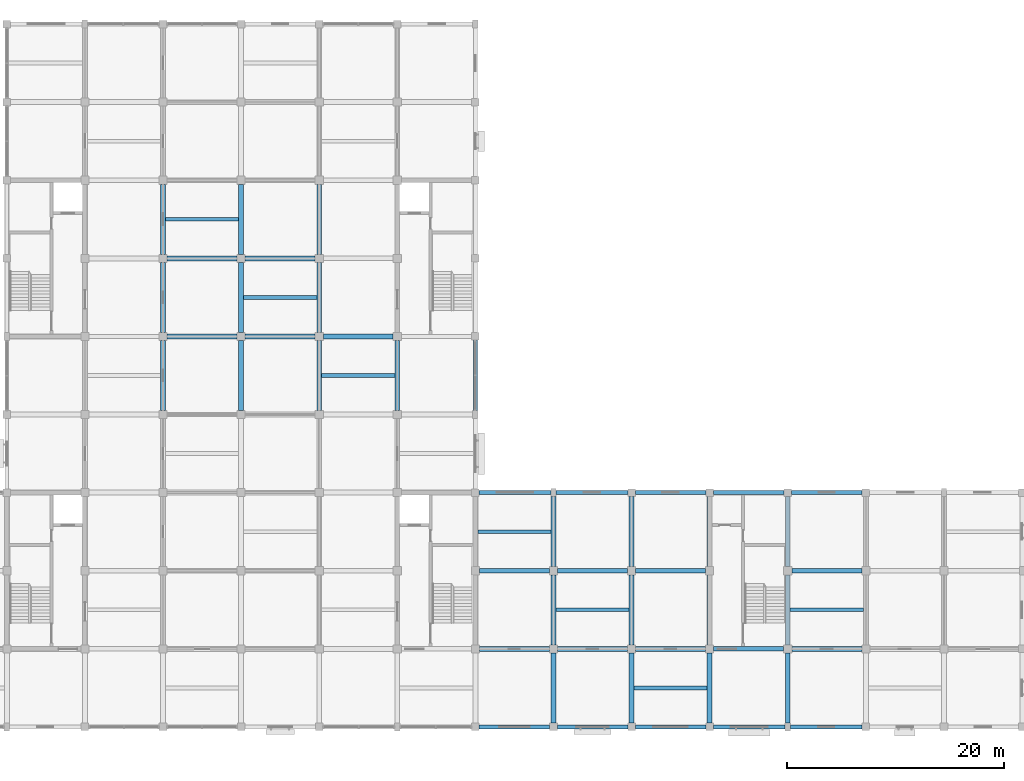
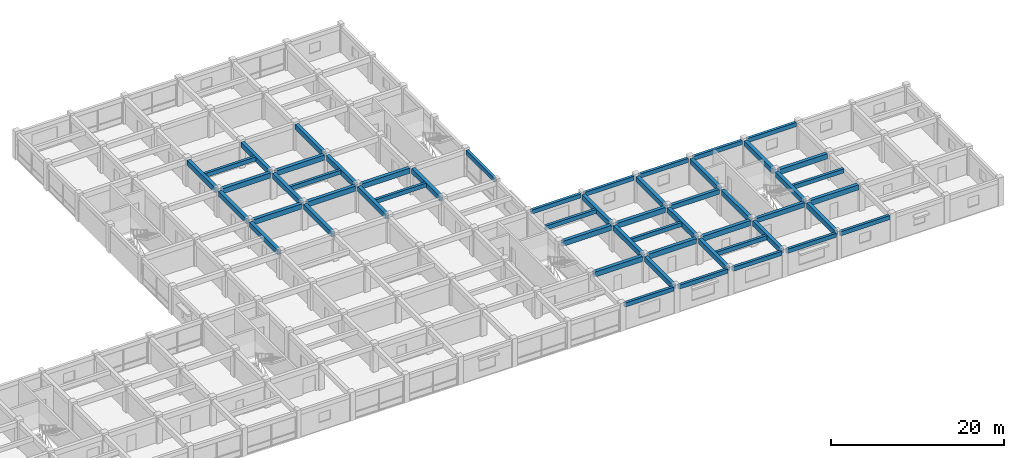
# One storey, part 8 of 25: 54 beams.
"""IFC4 building model written with IfcOpenShell, lengths in metres."""

from ifc_helpers import new_model, si_unit, direction, frame, origin, origin_2d, place, context, subcontext, project, spatial, rectangle, extrude, material, material_profile, profile_set, type_object, element, save


model = new_model("IFC4")

# Units and contexts
model_context = context("Model", 3, precision=1e-05, world=origin(), true_north=direction((0.0, 1.0)))
body_context = subcontext(model_context, "Body", "Model", "MODEL_VIEW")
ifc_project = project(units=[si_unit("LENGTHUNIT", "METRE"), si_unit("AREAUNIT", "SQUARE_METRE"), si_unit("VOLUMEUNIT", "CUBIC_METRE"), si_unit("PLANEANGLEUNIT", "RADIAN"), si_unit("MASSUNIT", "GRAM", prefix="KILO")], contexts=[model_context])

# Site, building, storey
site_placement = place(None, origin())
site = spatial("IfcSite", under=ifc_project, at=site_placement, CompositionType="ELEMENT")
building_placement = place(site_placement, origin())
building = spatial("IfcBuilding", under=site, at=building_placement, Name="Cendaluz Park School", CompositionType="ELEMENT")
storey_placement = place(building_placement, frame((0.0, 0.0, 18.60009765625)))
storey = spatial("IfcBuildingStorey", under=building, at=storey_placement, Name="L04", CompositionType="ELEMENT", Elevation=18.60009765625)

# Beams
ifc_material = material(Name="Concrete C40/50", Category="concrete")
ifc_material_profile_1 = material_profile(ifc_material, rectangle(XDim=0.449951171875, YDim=0.719970703125, at=origin_2d()), Name="RC 450x720", Category="concrete")
ifc_profile_set_1 = profile_set([ifc_material_profile_1], Name="Concrete C40/50")
beam_type_1 = type_object("IfcBeamType", Name="BM-RC02", PredefinedType="BEAM", material=ifc_profile_set_1)
for number, where, z_axis, x_axis, name in (
    (1, (79.574951171875, 43.199951171875, 3.329833984375), (1.0, 0.0, 0.0), (0.0, 1.0, 0.0), "BM-L04-BMRC02-0051"),
    (2, (79.574951171875, 50.39990234375, 3.329833984375), (1.0, 0.0, 0.0), (0.0, 1.0, 0.0), "BM-L04-BMRC02-0052"),
):
    element("IfcBeam", number, at=place(storey_placement, frame(where, z_axis=z_axis, x_axis=x_axis)), inside=storey, type_object=beam_type_1, Name=name, PredefinedType="BEAM", context=body_context, shape_type="SweptSolid", body=[
        extrude(rectangle(XDim=0.449951171875, YDim=0.719970703125, at=origin_2d()), origin(), (0.0, 0.0, 1.0), 6.449951171875),
    ])
for number, where, z_axis, x_axis, name in (
    (3, (86.77490234375, 43.199951171875, 3.329833984375), (1.0, 0.0, 0.0), (0.0, 1.0, 0.0), "BM-L04-BMRC02-0061"),
    (4, (86.77490234375, 50.39990234375, 3.329833984375), (1.0, 0.0, 0.0), (0.0, 1.0, 0.0), "BM-L04-BMRC02-0062"),
):
    element("IfcBeam", number, at=place(storey_placement, frame(where, z_axis=z_axis, x_axis=x_axis)), inside=storey, type_object=beam_type_1, Name=name, PredefinedType="BEAM", context=body_context, shape_type="SweptSolid", body=[
        extrude(rectangle(XDim=0.449951171875, YDim=0.719970703125, at=origin_2d()), origin(), (0.0, 0.0, 1.0), 6.4501953125),
    ])
for number, where, z_axis, x_axis, name in (
    (5, (93.97509765625, 43.199951171875, 3.329833984375), (1.0, 0.0, 0.0), (0.0, 1.0, 0.0), "BM-L04-BMRC02-0071"),
    (6, (108.375, 14.39990234375, 3.329833984375), (1.0, 0.0, 0.0), (0.0, 1.0, 0.0), "BM-L04-BMRC02-0085"),
    (7, (108.375, 21.60009765625, 3.329833984375), (1.0, 0.0, 0.0), (0.0, 1.0, 0.0), "BM-L04-BMRC02-0086"),
    (8, (115.574951171875, 14.39990234375, 3.329833984375), (1.0, 0.0, 0.0), (0.0, 1.0, 0.0), "BM-L04-BMRC02-0089"),
    (9, (115.574951171875, 21.60009765625, 3.329833984375), (1.0, 0.0, 0.0), (0.0, 1.0, 0.0), "BM-L04-BMRC02-0090"),
):
    element("IfcBeam", number, at=place(storey_placement, frame(where, z_axis=z_axis, x_axis=x_axis)), inside=storey, type_object=beam_type_1, Name=name, PredefinedType="BEAM", context=body_context, shape_type="SweptSolid", body=[
        extrude(rectangle(XDim=0.449951171875, YDim=0.719970703125, at=origin_2d()), origin(), (0.0, 0.0, 1.0), 6.449951171875),
    ])
beam_1_placement = place(storey_placement, frame((122.77490234375, 14.39990234375, 3.329833984375), z_axis=(1.0, 0.0, 0.0), x_axis=(0.0, 1.0, 0.0)))
element("IfcBeam", 10, at=beam_1_placement, inside=storey, type_object=beam_type_1, Name="BM-L04-BMRC02-0093", PredefinedType="BEAM", context=body_context, shape_type="SweptSolid", body=[
    extrude(rectangle(XDim=0.449951171875, YDim=0.719970703125, at=origin_2d()), origin(), (0.0, 0.0, 1.0), 6.4501953125),
])
for number, where, z_axis, x_axis, name in (
    (11, (137.175048828125, 14.39990234375, 3.329833984375), (1.0, 0.0, 0.0), (0.0, 1.0, 0.0), "BM-L04-BMRC02-0100"),
    (12, (137.175048828125, 21.60009765625, 3.329833984375), (1.0, 0.0, 0.0), (0.0, 1.0, 0.0), "BM-L04-BMRC02-0101"),
    (13, (79.199951171875, 36.375, 3.329833984375), (0.0, 1.0, 0.0), (-1.0, 0.0, 0.0), "BM-L04-BMRC02-0154"),
    (14, (79.199951171875, 43.574951171875, 3.329833984375), (0.0, 1.0, 0.0), (-1.0, 0.0, 0.0), "BM-L04-BMRC02-0155"),
):
    element("IfcBeam", number, at=place(storey_placement, frame(where, z_axis=z_axis, x_axis=x_axis)), inside=storey, type_object=beam_type_1, Name=name, PredefinedType="BEAM", context=body_context, shape_type="SweptSolid", body=[
        extrude(rectangle(XDim=0.449951171875, YDim=0.719970703125, at=origin_2d()), origin(), (0.0, 0.0, 1.0), 6.449951171875),
    ])
beam_2_placement = place(storey_placement, frame((79.199951171875, 50.77490234375, 3.329833984375), z_axis=(0.0, 1.0, 0.0), x_axis=(-1.0, 0.0, 0.0)))
element("IfcBeam", 15, at=beam_2_placement, inside=storey, type_object=beam_type_1, Name="BM-L04-BMRC02-0156", PredefinedType="BEAM", context=body_context, shape_type="SweptSolid", body=[
    extrude(rectangle(XDim=0.449951171875, YDim=0.719970703125, at=origin_2d()), origin(), (0.0, 0.0, 1.0), 6.4501953125),
])
for number, where, z_axis, x_axis, name in (
    (16, (86.39990234375, 36.375, 3.329833984375), (0.0, 1.0, 0.0), (-1.0, 0.0, 0.0), "BM-L04-BMRC02-0163"),
    (17, (86.39990234375, 43.574951171875, 3.329833984375), (0.0, 1.0, 0.0), (-1.0, 0.0, 0.0), "BM-L04-BMRC02-0164"),
):
    element("IfcBeam", number, at=place(storey_placement, frame(where, z_axis=z_axis, x_axis=x_axis)), inside=storey, type_object=beam_type_1, Name=name, PredefinedType="BEAM", context=body_context, shape_type="SweptSolid", body=[
        extrude(rectangle(XDim=0.449951171875, YDim=0.719970703125, at=origin_2d()), origin(), (0.0, 0.0, 1.0), 6.449951171875),
    ])
beam_3_placement = place(storey_placement, frame((86.39990234375, 50.77490234375, 3.329833984375), z_axis=(0.0, 1.0, 0.0), x_axis=(-1.0, 0.0, 0.0)))
element("IfcBeam", 18, at=beam_3_placement, inside=storey, type_object=beam_type_1, Name="BM-L04-BMRC02-0165", PredefinedType="BEAM", context=body_context, shape_type="SweptSolid", body=[
    extrude(rectangle(XDim=0.449951171875, YDim=0.719970703125, at=origin_2d()), origin(), (0.0, 0.0, 1.0), 6.4501953125),
])
for number, where, z_axis, x_axis, name in (
    (19, (93.60009765625, 36.375, 3.329833984375), (0.0, 1.0, 0.0), (-1.0, 0.0, 0.0), "BM-L04-BMRC02-0172"),
    (20, (93.60009765625, 43.574951171875, 3.329833984375), (0.0, 1.0, 0.0), (-1.0, 0.0, 0.0), "BM-L04-BMRC02-0173"),
):
    element("IfcBeam", number, at=place(storey_placement, frame(where, z_axis=z_axis, x_axis=x_axis)), inside=storey, type_object=beam_type_1, Name=name, PredefinedType="BEAM", context=body_context, shape_type="SweptSolid", body=[
        extrude(rectangle(XDim=0.449951171875, YDim=0.719970703125, at=origin_2d()), origin(), (0.0, 0.0, 1.0), 6.449951171875),
    ])
beam_4_placement = place(storey_placement, frame((93.60009765625, 50.77490234375, 3.329833984375), z_axis=(0.0, 1.0, 0.0), x_axis=(-1.0, 0.0, 0.0)))
element("IfcBeam", 21, at=beam_4_placement, inside=storey, type_object=beam_type_1, Name="BM-L04-BMRC02-0174", PredefinedType="BEAM", context=body_context, shape_type="SweptSolid", body=[
    extrude(rectangle(XDim=0.449951171875, YDim=0.719970703125, at=origin_2d()), origin(), (0.0, 0.0, 1.0), 6.4501953125),
])
beam_5_placement = place(storey_placement, frame((100.800048828125, 36.375, 3.329833984375), z_axis=(0.0, 1.0, 0.0), x_axis=(-1.0, 0.0, 0.0)))
element("IfcBeam", 22, at=beam_5_placement, inside=storey, type_object=beam_type_1, Name="BM-L04-BMRC02-0181", PredefinedType="BEAM", context=body_context, shape_type="SweptSolid", body=[
    extrude(rectangle(XDim=0.449951171875, YDim=0.719970703125, at=origin_2d()), origin(), (0.0, 0.0, 1.0), 6.449951171875),
])
beam_6_placement = place(storey_placement, frame((115.199951171875, 7.550048828125, 3.329833984375), z_axis=(0.0, 1.0, 0.0), x_axis=(-1.0, 0.0, 0.0)))
element("IfcBeam", 23, at=beam_6_placement, inside=storey, type_object=beam_type_1, Name="BM-L04-BMRC02-0195", PredefinedType="BEAM", context=body_context, shape_type="SweptSolid", body=[
    extrude(rectangle(XDim=0.449951171875, YDim=0.719970703125, at=origin_2d()), origin(), (0.0, 0.0, 1.0), 6.474853515625),
])
beam_7_placement = place(storey_placement, frame((115.199951171875, 14.77490234375, 3.329833984375), z_axis=(0.0, 1.0, 0.0), x_axis=(-1.0, 0.0, 0.0)))
element("IfcBeam", 24, at=beam_7_placement, inside=storey, type_object=beam_type_1, Name="BM-L04-BMRC02-0196", PredefinedType="BEAM", context=body_context, shape_type="SweptSolid", body=[
    extrude(rectangle(XDim=0.449951171875, YDim=0.719970703125, at=origin_2d()), origin(), (0.0, 0.0, 1.0), 6.4501953125),
])
beam_8_placement = place(storey_placement, frame((115.199951171875, 21.97509765625, 3.329833984375), z_axis=(0.0, 1.0, 0.0), x_axis=(-1.0, 0.0, 0.0)))
element("IfcBeam", 25, at=beam_8_placement, inside=storey, type_object=beam_type_1, Name="BM-L04-BMRC02-0197", PredefinedType="BEAM", context=body_context, shape_type="SweptSolid", body=[
    extrude(rectangle(XDim=0.449951171875, YDim=0.719970703125, at=origin_2d()), origin(), (0.0, 0.0, 1.0), 6.449951171875),
])
beam_9_placement = place(storey_placement, frame((122.39990234375, 7.550048828125, 3.329833984375), z_axis=(0.0, 1.0, 0.0), x_axis=(-1.0, 0.0, 0.0)))
element("IfcBeam", 26, at=beam_9_placement, inside=storey, type_object=beam_type_1, Name="BM-L04-BMRC02-0198", PredefinedType="BEAM", context=body_context, shape_type="SweptSolid", body=[
    extrude(rectangle(XDim=0.449951171875, YDim=0.719970703125, at=origin_2d()), origin(), (0.0, 0.0, 1.0), 6.474853515625),
])
beam_10_placement = place(storey_placement, frame((122.39990234375, 14.77490234375, 3.329833984375), z_axis=(0.0, 1.0, 0.0), x_axis=(-1.0, 0.0, 0.0)))
element("IfcBeam", 27, at=beam_10_placement, inside=storey, type_object=beam_type_1, Name="BM-L04-BMRC02-0199", PredefinedType="BEAM", context=body_context, shape_type="SweptSolid", body=[
    extrude(rectangle(XDim=0.449951171875, YDim=0.719970703125, at=origin_2d()), origin(), (0.0, 0.0, 1.0), 6.4501953125),
])
for number, where, z_axis, x_axis, name in (
    (28, (122.39990234375, 21.97509765625, 3.329833984375), (0.0, 1.0, 0.0), (-1.0, 0.0, 0.0), "BM-L04-BMRC02-0200"),
    (29, (129.60009765625, 7.550048828125, 3.329833984375), (0.0, 1.0, 0.0), (-1.0, 0.0, 0.0), "BM-L04-BMRC02-0201"),
):
    element("IfcBeam", number, at=place(storey_placement, frame(where, z_axis=z_axis, x_axis=x_axis)), inside=storey, type_object=beam_type_1, Name=name, PredefinedType="BEAM", context=body_context, shape_type="SweptSolid", body=[
        extrude(rectangle(XDim=0.449951171875, YDim=0.719970703125, at=origin_2d()), origin(), (0.0, 0.0, 1.0), 6.474853515625),
    ])
beam_11_placement = place(storey_placement, frame((129.60009765625, 14.77490234375, 3.329833984375), z_axis=(0.0, 1.0, 0.0), x_axis=(-1.0, 0.0, 0.0)))
element("IfcBeam", 30, at=beam_11_placement, inside=storey, type_object=beam_type_1, Name="BM-L04-BMRC02-0202", PredefinedType="BEAM", context=body_context, shape_type="SweptSolid", body=[
    extrude(rectangle(XDim=0.449951171875, YDim=0.719970703125, at=origin_2d()), origin(), (0.0, 0.0, 1.0), 6.4501953125),
])
beam_12_placement = place(storey_placement, frame((129.60009765625, 21.97509765625, 3.329833984375), z_axis=(0.0, 1.0, 0.0), x_axis=(-1.0, 0.0, 0.0)))
element("IfcBeam", 31, at=beam_12_placement, inside=storey, type_object=beam_type_1, Name="BM-L04-BMRC02-0203", PredefinedType="BEAM", context=body_context, shape_type="SweptSolid", body=[
    extrude(rectangle(XDim=0.449951171875, YDim=0.719970703125, at=origin_2d()), origin(), (0.0, 0.0, 1.0), 6.474853515625),
])
beam_13_placement = place(storey_placement, frame((136.800048828125, 7.574951171875, 3.329833984375), z_axis=(0.0, 1.0, 0.0), x_axis=(-1.0, 0.0, 0.0)))
element("IfcBeam", 32, at=beam_13_placement, inside=storey, type_object=beam_type_1, Name="BM-L04-BMRC02-0204", PredefinedType="BEAM", context=body_context, shape_type="SweptSolid", body=[
    extrude(rectangle(XDim=0.449951171875, YDim=0.719970703125, at=origin_2d()), origin(), (0.0, 0.0, 1.0), 6.449951171875),
])
beam_14_placement = place(storey_placement, frame((136.800048828125, 14.77490234375, 3.329833984375), z_axis=(0.0, 1.0, 0.0), x_axis=(-1.0, 0.0, 0.0)))
element("IfcBeam", 33, at=beam_14_placement, inside=storey, type_object=beam_type_1, Name="BM-L04-BMRC02-0205", PredefinedType="BEAM", context=body_context, shape_type="SweptSolid", body=[
    extrude(rectangle(XDim=0.449951171875, YDim=0.719970703125, at=origin_2d()), origin(), (0.0, 0.0, 1.0), 6.4501953125),
])
beam_15_placement = place(storey_placement, frame((136.800048828125, 21.97509765625, 3.329833984375), z_axis=(0.0, 1.0, 0.0), x_axis=(-1.0, 0.0, 0.0)))
element("IfcBeam", 34, at=beam_15_placement, inside=storey, type_object=beam_type_1, Name="BM-L04-BMRC02-0206", PredefinedType="BEAM", context=body_context, shape_type="SweptSolid", body=[
    extrude(rectangle(XDim=0.449951171875, YDim=0.719970703125, at=origin_2d()), origin(), (0.0, 0.0, 1.0), 6.474853515625),
])
ifc_material_profile_2 = material_profile(ifc_material, rectangle(XDim=0.39990234375, YDim=0.64990234375, at=origin_2d()), Name="RC 400x650", Category="concrete")
ifc_profile_set_2 = profile_set([ifc_material_profile_2], Name="Concrete C40/50")
beam_type_2 = type_object("IfcBeamType", Name="BM-RC03", PredefinedType="T_BEAM", material=ifc_profile_set_2)
beam_16_placement = place(storey_placement, frame((122.77490234375, 21.60009765625, 3.364990234375), z_axis=(1.0, 0.0, 0.0), x_axis=(0.0, 1.0, 0.0)))
element("IfcBeam", 35, at=beam_16_placement, inside=storey, type_object=beam_type_2, Name="BM-L04-BMRC03-0094", PredefinedType="T_BEAM", context=body_context, shape_type="SweptSolid", body=[
    extrude(rectangle(XDim=0.39990234375, YDim=0.64990234375, at=origin_2d()), origin(), (0.0, 0.0, 1.0), 6.4501953125),
])
beam_17_placement = place(storey_placement, frame((129.97509765625, 14.39990234375, 3.364990234375), z_axis=(1.0, 0.0, 0.0), x_axis=(0.0, 1.0, 0.0)))
element("IfcBeam", 36, at=beam_17_placement, inside=storey, type_object=beam_type_2, Name="BM-L04-BMRC03-0097", PredefinedType="T_BEAM", context=body_context, shape_type="SweptSolid", body=[
    extrude(rectangle(XDim=0.39990234375, YDim=0.64990234375, at=origin_2d()), origin(), (0.0, 0.0, 1.0), 6.449951171875),
])
ifc_material_profile_3 = material_profile(ifc_material, rectangle(XDim=0.35009765625, YDim=0.580078125, at=origin_2d()), Name="RC 350x580", Category="concrete")
ifc_profile_set_3 = profile_set([ifc_material_profile_3], Name="Concrete C40/50")
beam_type_3 = type_object("IfcBeamType", Name="BM-RC04", PredefinedType="LINTEL", material=ifc_profile_set_3)
beam_18_placement = place(storey_placement, frame((108.35009765625, 7.199951171875, 3.39990234375), z_axis=(1.0, 0.0, 0.0), x_axis=(0.0, 1.0, 0.0)))
element("IfcBeam", 37, at=beam_18_placement, inside=storey, type_object=beam_type_3, Name="BM-L04-BMRC04-0084", PredefinedType="LINTEL", context=body_context, shape_type="SweptSolid", body=[
    extrude(rectangle(XDim=0.35009765625, YDim=0.580078125, at=origin_2d()), origin(), (0.0, 0.0, 1.0), 6.5),
])
beam_19_placement = place(storey_placement, frame((108.35009765625, 28.800048828125, 3.39990234375), z_axis=(1.0, 0.0, 0.0), x_axis=(0.0, 1.0, 0.0)))
element("IfcBeam", 38, at=beam_19_placement, inside=storey, type_object=beam_type_3, Name="BM-L04-BMRC04-0087", PredefinedType="LINTEL", context=body_context, shape_type="SweptSolid", body=[
    extrude(rectangle(XDim=0.35009765625, YDim=0.580078125, at=origin_2d()), origin(), (0.0, 0.0, 1.0), 6.599853515625),
])
beam_20_placement = place(storey_placement, frame((115.550048828125, 7.199951171875, 3.39990234375), z_axis=(1.0, 0.0, 0.0), x_axis=(0.0, 1.0, 0.0)))
element("IfcBeam", 39, at=beam_20_placement, inside=storey, type_object=beam_type_3, Name="BM-L04-BMRC04-0088", PredefinedType="LINTEL", context=body_context, shape_type="SweptSolid", body=[
    extrude(rectangle(XDim=0.35009765625, YDim=0.580078125, at=origin_2d()), origin(), (0.0, 0.0, 1.0), 6.5),
])
beam_21_placement = place(storey_placement, frame((115.449951171875, 28.800048828125, 3.39990234375), z_axis=(1.0, 0.0, 0.0), x_axis=(0.0, 1.0, 0.0)))
element("IfcBeam", 40, at=beam_21_placement, inside=storey, type_object=beam_type_3, Name="BM-L04-BMRC04-0091", PredefinedType="LINTEL", context=body_context, shape_type="SweptSolid", body=[
    extrude(rectangle(XDim=0.35009765625, YDim=0.580078125, at=origin_2d()), origin(), (0.0, 0.0, 1.0), 6.60009765625),
])
for number, where, z_axis, x_axis, name in (
    (41, (122.75, 7.199951171875, 3.39990234375), (1.0, 0.0, 0.0), (0.0, 1.0, 0.0), "BM-L04-BMRC04-0092"),
    (42, (122.75, 28.800048828125, 3.39990234375), (1.0, 0.0, 0.0), (0.0, 1.0, 0.0), "BM-L04-BMRC04-0095"),
):
    element("IfcBeam", number, at=place(storey_placement, frame(where, z_axis=z_axis, x_axis=x_axis)), inside=storey, type_object=beam_type_3, Name=name, PredefinedType="LINTEL", context=body_context, shape_type="SweptSolid", body=[
        extrude(rectangle(XDim=0.35009765625, YDim=0.580078125, at=origin_2d()), origin(), (0.0, 0.0, 1.0), 6.5),
    ])
beam_22_placement = place(storey_placement, frame((129.949951171875, 7.199951171875, 3.39990234375), z_axis=(1.0, 0.0, 0.0), x_axis=(0.0, 1.0, 0.0)))
element("IfcBeam", 43, at=beam_22_placement, inside=storey, type_object=beam_type_3, Name="BM-L04-BMRC04-0096", PredefinedType="LINTEL", context=body_context, shape_type="SweptSolid", body=[
    extrude(rectangle(XDim=0.35009765625, YDim=0.580078125, at=origin_2d()), origin(), (0.0, 0.0, 1.0), 6.60009765625),
])
beam_23_placement = place(storey_placement, frame((129.949951171875, 28.800048828125, 3.39990234375), z_axis=(1.0, 0.0, 0.0), x_axis=(0.0, 1.0, 0.0)))
element("IfcBeam", 44, at=beam_23_placement, inside=storey, type_object=beam_type_3, Name="BM-L04-BMRC04-0098", PredefinedType="LINTEL", context=body_context, shape_type="SweptSolid", body=[
    extrude(rectangle(XDim=0.35009765625, YDim=0.580078125, at=origin_2d()), origin(), (0.0, 0.0, 1.0), 6.5),
])
beam_24_placement = place(storey_placement, frame((137.050048828125, 7.199951171875, 3.39990234375), z_axis=(1.0, 0.0, 0.0), x_axis=(0.0, 1.0, 0.0)))
element("IfcBeam", 45, at=beam_24_placement, inside=storey, type_object=beam_type_3, Name="BM-L04-BMRC04-0099", PredefinedType="LINTEL", context=body_context, shape_type="SweptSolid", body=[
    extrude(rectangle(XDim=0.35009765625, YDim=0.580078125, at=origin_2d()), origin(), (0.0, 0.0, 1.0), 6.599853515625),
])
beam_25_placement = place(storey_placement, frame((137.14990234375, 28.800048828125, 3.39990234375), z_axis=(1.0, 0.0, 0.0), x_axis=(0.0, 1.0, 0.0)))
element("IfcBeam", 46, at=beam_25_placement, inside=storey, type_object=beam_type_3, Name="BM-L04-BMRC04-0102", PredefinedType="LINTEL", context=body_context, shape_type="SweptSolid", body=[
    extrude(rectangle(XDim=0.35009765625, YDim=0.580078125, at=origin_2d()), origin(), (0.0, 0.0, 1.0), 6.5),
])
beam_26_placement = place(storey_placement, frame((108.0, 36.375, 3.39990234375), z_axis=(0.0, 1.0, 0.0), x_axis=(-1.0, 0.0, 0.0)))
element("IfcBeam", 47, at=beam_26_placement, inside=storey, type_object=beam_type_3, Name="BM-L04-BMRC04-0190", PredefinedType="LINTEL", context=body_context, shape_type="SweptSolid", body=[
    extrude(rectangle(XDim=0.35009765625, YDim=0.580078125, at=origin_2d()), origin(), (0.0, 0.0, 1.0), 6.47509765625),
])
ifc_material_profile_4 = material_profile(ifc_material, rectangle(XDim=0.35009765625, YDim=0.580078125, at=origin_2d()), Name="RC 350x580", Category="concrete")
ifc_profile_set_4 = profile_set([ifc_material_profile_4], Name="Concrete C40/50")
beam_type_4 = type_object("IfcBeamType", Name="JT-RC01", PredefinedType="JOIST", material=ifc_profile_set_4)
for number, where, z_axis, x_axis, name in (
    (48, (79.425048828125, 54.0, 3.39990234375), (1.0, 0.0, 0.0), (0.0, 1.0, 0.0), "BM-L04-JTRC01-0229"),
    (49, (86.625, 46.800048828125, 3.39990234375), (1.0, 0.0, 0.0), (0.0, 1.0, 0.0), "BM-L04-JTRC01-0231"),
    (50, (93.824951171875, 39.60009765625, 3.39990234375), (1.0, 0.0, 0.0), (0.0, 1.0, 0.0), "BM-L04-JTRC01-0234"),
    (51, (108.22509765625, 25.199951171875, 3.39990234375), (1.0, 0.0, 0.0), (0.0, 1.0, 0.0), "BM-L04-JTRC01-0238"),
    (52, (115.425048828125, 18.0, 3.39990234375), (1.0, 0.0, 0.0), (0.0, 1.0, 0.0), "BM-L04-JTRC01-0239"),
    (53, (122.625, 10.800048828125, 3.39990234375), (1.0, 0.0, 0.0), (0.0, 1.0, 0.0), "BM-L04-JTRC01-0240"),
    (54, (137.02490234375, 18.0, 3.39990234375), (1.0, 0.0, 0.0), (0.0, 1.0, 0.0), "BM-L04-JTRC01-0241"),
):
    element("IfcBeam", number, at=place(storey_placement, frame(where, z_axis=z_axis, x_axis=x_axis)), inside=storey, type_object=beam_type_4, Name=name, PredefinedType="JOIST", context=body_context, shape_type="SweptSolid", body=[
        extrude(rectangle(XDim=0.35009765625, YDim=0.580078125, at=origin_2d()), origin(), (0.0, 0.0, 1.0), 6.75),
    ])

save(model, "model.ifc")
